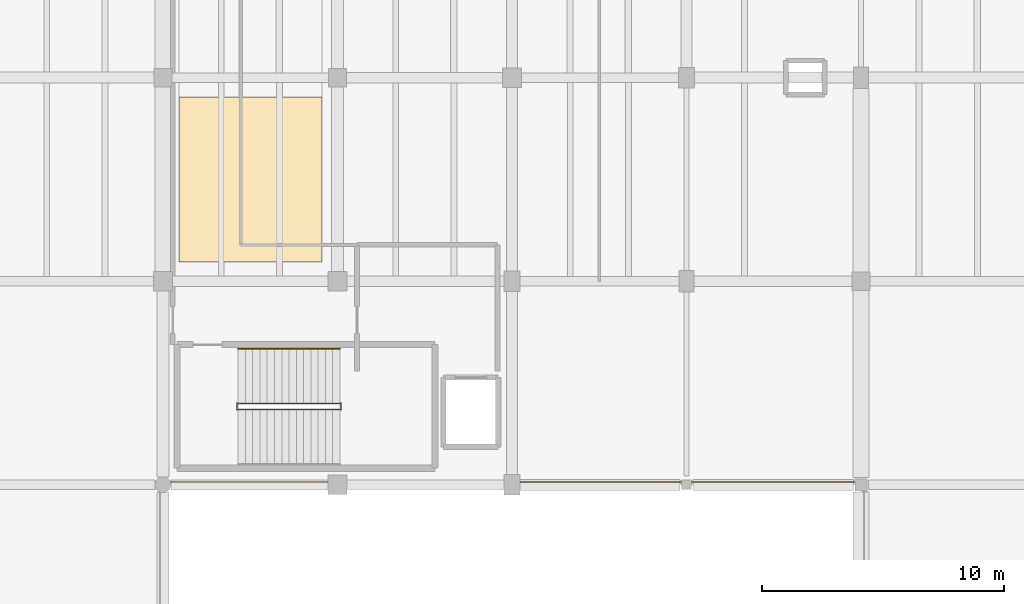
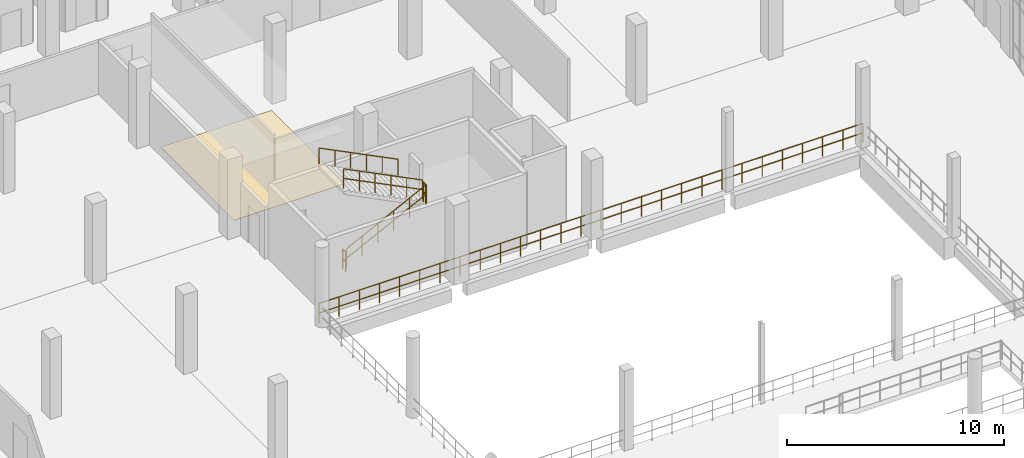
# One storey, part 113 of 116: 6 railings, 1 covering.
"""IFC4 building model written with IfcOpenShell, lengths in metres."""

from ifc_helpers import new_model, si_unit, direction, frame, origin, origin_2d, place, context, subcontext, project, spatial, polyline, circle, outline, extrude, material, layer, layer_set, type_object, element, save


model = new_model("IFC4")

# Units and contexts
model_context = context("Model", 3, precision=1e-05, world=origin(), true_north=direction((0.0, 1.0)))
body_context = subcontext(model_context, "Body", "Model", "MODEL_VIEW")
ifc_project = project(units=[si_unit("LENGTHUNIT", "METRE"), si_unit("AREAUNIT", "SQUARE_METRE"), si_unit("VOLUMEUNIT", "CUBIC_METRE"), si_unit("PLANEANGLEUNIT", "RADIAN"), si_unit("MASSUNIT", "GRAM", prefix="KILO")], contexts=[model_context])

# Site, building, storey
site_placement = place(None, origin())
site = spatial("IfcSite", under=ifc_project, at=site_placement, CompositionType="ELEMENT")
building_placement = place(site_placement, origin())
building = spatial("IfcBuilding", under=site, at=building_placement, Name="Kalluvel Institute of Natural Sciences", CompositionType="ELEMENT")
storey_placement = place(building_placement, frame((0.0, 0.0, 14.39990234375)))
storey = spatial("IfcBuildingStorey", under=building, at=storey_placement, Name="L03", CompositionType="ELEMENT", Elevation=14.39990234375)

# Covering
ifc_material_1 = material(Name="Seamless Chemical-Resistant Epoxy Flooring", Category="resin")
ifc_layer = layer(ifc_material_1, 0.014892578125)
ifc_layer_set = layer_set([ifc_layer], Name="Seamless Chemical-Resistant Epoxy Flooring")
covering_type = type_object("IfcCoveringType", Name="COV-FLR-EPOXY", PredefinedType="FLOORING", material=ifc_layer_set)
covering_placement = place(storey_placement, origin())
element("IfcCovering", 1, at=covering_placement, inside=storey, type_object=covering_type, Name="L03 seamless epoxy laboratory floor finish 8", PredefinedType="FLOORING", context=body_context, shape_type="SweptSolid", body=[
    extrude(outline(polyline([(43.449951171875, 103.60009765625), (49.35009765625, 103.60009765625), (49.35009765625, 110.39990234375), (43.449951171875, 110.39990234375), (43.449951171875, 103.60009765625)])), origin(), (0.0, 0.0, 1.0), 0.01513671875),
])

# Railings
ifc_material_2 = material(Name="Galvanized Fire-Rated Steel", Category="steel")
railing_type_1 = type_object("IfcRailingType", Name="RL-GD-ATRIUM", PredefinedType="BALUSTRADE", material=ifc_material_2)
railing_1_placement = place(storey_placement, frame((71.679931640625, 94.52001953125, 0.0)))
element("IfcRailing", 2, at=railing_1_placement, inside=storey, type_object=railing_type_1, Name="L03 Interaction Atrium void safety balustrade N", PredefinedType="BALUSTRADE", context=body_context, shape_type="SweptSolid", body=[
    extrude(circle(Radius=0.02392578125, at=origin_2d()), frame((0.0, 0.0, 1.09619140625), z_axis=(-1.0, 0.0, 0.0), x_axis=(0.0, -1.0, 0.0)), (0.0, 0.0, 1.0), 28.9599609375),
    extrude(circle(Radius=0.02392578125, at=origin_2d()), frame((0.0, 0.0, 0.56005859375), z_axis=(-1.0, 0.0, 0.0), x_axis=(0.0, -1.0, 0.0)), (0.0, 0.0, 1.0), 28.9599609375),
    extrude(circle(Radius=0.02099609375, at=origin_2d()), origin(), (0.0, 0.0, 1.0), 1.072021484375),
    extrude(circle(Radius=0.02099609375, at=origin_2d()), frame((-1.072509765625, 0.0, 0.0)), (0.0, 0.0, 1.0), 1.072021484375),
    extrude(circle(Radius=0.02099609375, at=origin_2d()), frame((-2.145263671875, 0.0, 0.0)), (0.0, 0.0, 1.0), 1.072021484375),
    extrude(circle(Radius=0.02099609375, at=origin_2d()), frame((-3.2177734375, 0.0, 0.0)), (0.0, 0.0, 1.0), 1.072021484375),
    extrude(circle(Radius=0.02099609375, at=origin_2d()), frame((-4.290283203125, 0.0, 0.0)), (0.0, 0.0, 1.0), 1.072021484375),
    extrude(circle(Radius=0.02099609375, at=origin_2d()), frame((-5.363037109375, 0.0, 0.0)), (0.0, 0.0, 1.0), 1.072021484375),
    extrude(circle(Radius=0.02099609375, at=origin_2d()), frame((-6.435546875, 0.0, 0.0)), (0.0, 0.0, 1.0), 1.072021484375),
    extrude(circle(Radius=0.02099609375, at=origin_2d()), frame((-7.508056640625, 0.0, 0.0)), (0.0, 0.0, 1.0), 1.072021484375),
    extrude(circle(Radius=0.02099609375, at=origin_2d()), frame((-8.580810546875, 0.0, 0.0)), (0.0, 0.0, 1.0), 1.072021484375),
    extrude(circle(Radius=0.02099609375, at=origin_2d()), frame((-9.6533203125, 0.0, 0.0)), (0.0, 0.0, 1.0), 1.072021484375),
    extrude(circle(Radius=0.02099609375, at=origin_2d()), frame((-10.725830078125, 0.0, 0.0)), (0.0, 0.0, 1.0), 1.072021484375),
    extrude(circle(Radius=0.02099609375, at=origin_2d()), frame((-11.798583984375, 0.0, 0.0)), (0.0, 0.0, 1.0), 1.072021484375),
    extrude(circle(Radius=0.02099609375, at=origin_2d()), frame((-12.87109375, 0.0, 0.0)), (0.0, 0.0, 1.0), 1.072021484375),
    extrude(circle(Radius=0.02099609375, at=origin_2d()), frame((-13.943603515625, 0.0, 0.0)), (0.0, 0.0, 1.0), 1.072021484375),
    extrude(circle(Radius=0.02099609375, at=origin_2d()), frame((-15.016357421875, 0.0, 0.0)), (0.0, 0.0, 1.0), 1.072021484375),
    extrude(circle(Radius=0.02099609375, at=origin_2d()), frame((-16.0888671875, 0.0, 0.0)), (0.0, 0.0, 1.0), 1.072021484375),
    extrude(circle(Radius=0.02099609375, at=origin_2d()), frame((-17.161376953125, 0.0, 0.0)), (0.0, 0.0, 1.0), 1.072021484375),
    extrude(circle(Radius=0.02099609375, at=origin_2d()), frame((-18.234130859375, 0.0, 0.0)), (0.0, 0.0, 1.0), 1.072021484375),
    extrude(circle(Radius=0.02099609375, at=origin_2d()), frame((-19.306640625, 0.0, 0.0)), (0.0, 0.0, 1.0), 1.072021484375),
    extrude(circle(Radius=0.02099609375, at=origin_2d()), frame((-20.379150390625, 0.0, 0.0)), (0.0, 0.0, 1.0), 1.072021484375),
    extrude(circle(Radius=0.02099609375, at=origin_2d()), frame((-21.451904296875, 0.0, 0.0)), (0.0, 0.0, 1.0), 1.072021484375),
    extrude(circle(Radius=0.02099609375, at=origin_2d()), frame((-22.5244140625, 0.0, 0.0)), (0.0, 0.0, 1.0), 1.072021484375),
    extrude(circle(Radius=0.02099609375, at=origin_2d()), frame((-23.596923828125, 0.0, 0.0)), (0.0, 0.0, 1.0), 1.072021484375),
    extrude(circle(Radius=0.02099609375, at=origin_2d()), frame((-24.669677734375, 0.0, 0.0)), (0.0, 0.0, 1.0), 1.072021484375),
    extrude(circle(Radius=0.02099609375, at=origin_2d()), frame((-25.7421875, 0.0, 0.0)), (0.0, 0.0, 1.0), 1.072021484375),
    extrude(circle(Radius=0.02099609375, at=origin_2d()), frame((-26.814697265625, 0.0, 0.0)), (0.0, 0.0, 1.0), 1.072021484375),
    extrude(circle(Radius=0.02099609375, at=origin_2d()), frame((-27.887451171875, 0.0, 0.0)), (0.0, 0.0, 1.0), 1.072021484375),
    extrude(circle(Radius=0.02099609375, at=origin_2d()), frame((-28.9599609375, 0.0, 0.0)), (0.0, 0.0, 1.0), 1.072021484375),
])
railing_type_2 = type_object("IfcRailingType", Name="RL-GD-STAIR", PredefinedType="BALUSTRADE", material=ifc_material_2)
railing_2_placement = place(storey_placement, frame((45.89990234375, 97.510009765625, 0.150146484375)))
element("IfcRailing", 3, at=railing_2_placement, inside=storey, type_object=railing_type_2, Name="L03 ST3 stair guard 1", PredefinedType="BALUSTRADE", context=body_context, shape_type="SweptSolid", body=[
    extrude(circle(Radius=0.02392578125, at=origin_2d()), frame((0.0, 0.0, 1.09619140625), z_axis=(0.894447986312, 0.0, 0.447172002457), x_axis=(0.0, 1.0, 0.0)), (0.0, 0.0, 1.0), 4.69580078125),
    extrude(circle(Radius=0.02392578125, at=origin_2d()), frame((0.0, 0.0, 0.56005859375), z_axis=(0.894447986312, 0.0, 0.447172002457), x_axis=(0.0, 1.0, 0.0)), (0.0, 0.0, 1.0), 4.69580078125),
    extrude(circle(Radius=0.02099609375, at=origin_2d()), origin(), (0.0, 0.0, 1.0), 1.072021484375),
    extrude(circle(Radius=0.02099609375, at=origin_2d()), frame((0.840087890625, 0.0, 0.419921875)), (0.0, 0.0, 1.0), 1.072021484375),
    extrude(circle(Radius=0.02099609375, at=origin_2d()), frame((1.68017578125, 0.0, 0.83984375)), (0.0, 0.0, 1.0), 1.072021484375),
    extrude(circle(Radius=0.02099609375, at=origin_2d()), frame((2.52001953125, 0.0, 1.260009765625)), (0.0, 0.0, 1.0), 1.072021484375),
    extrude(circle(Radius=0.02099609375, at=origin_2d()), frame((3.360107421875, 0.0, 1.679931640625)), (0.0, 0.0, 1.0), 1.072021484375),
    extrude(circle(Radius=0.02099609375, at=origin_2d()), frame((4.2001953125, 0.0, 2.099853515625)), (0.0, 0.0, 1.0), 1.072021484375),
])
railing_3_placement = place(storey_placement, frame((50.14990234375, 97.4951171875, 2.25)))
element("IfcRailing", 4, at=railing_3_placement, inside=storey, type_object=railing_type_2, Name="L03 ST3 stair guard 2", PredefinedType="BALUSTRADE", context=body_context, shape_type="SweptSolid", body=[
    extrude(circle(Radius=0.02392578125, at=origin_2d()), frame((0.0, 0.0, 1.09619140625), z_axis=(0.0, 1.0, 0.0), x_axis=(-1.0, 0.0, 0.0)), (0.0, 0.0, 1.0), 0.27978515625),
    extrude(circle(Radius=0.02392578125, at=origin_2d()), frame((0.0, 0.0, 0.56005859375), z_axis=(0.0, 1.0, 0.0), x_axis=(-1.0, 0.0, 0.0)), (0.0, 0.0, 1.0), 0.27978515625),
    extrude(circle(Radius=0.02099609375, at=origin_2d()), origin(), (0.0, 0.0, 1.0), 1.072021484375),
    extrude(circle(Radius=0.02099609375, at=origin_2d()), frame((0.0, 0.27978515625, 0.0)), (0.0, 0.0, 1.0), 1.072021484375),
])
railing_4_placement = place(storey_placement, frame((50.10009765625, 97.760009765625, 2.400146484375)))
element("IfcRailing", 5, at=railing_4_placement, inside=storey, type_object=railing_type_2, Name="L03 ST3 stair guard 3", PredefinedType="BALUSTRADE", context=body_context, shape_type="SweptSolid", body=[
    extrude(circle(Radius=0.02392578125, at=origin_2d()), frame((0.0, 0.0, 1.09619140625), z_axis=(-0.894447986312, 0.0, 0.447172002457), x_axis=(0.0, -1.0, 0.0)), (0.0, 0.0, 1.0), 4.69580078125),
    extrude(circle(Radius=0.02392578125, at=origin_2d()), frame((0.0, 0.0, 0.56005859375), z_axis=(-0.894447986312, 0.0, 0.447172002457), x_axis=(0.0, -1.0, 0.0)), (0.0, 0.0, 1.0), 4.69580078125),
    extrude(circle(Radius=0.02099609375, at=origin_2d()), origin(), (0.0, 0.0, 1.0), 1.072021484375),
    extrude(circle(Radius=0.02099609375, at=origin_2d()), frame((-0.840087890625, 0.0, 0.419921875)), (0.0, 0.0, 1.0), 1.072021484375),
    extrude(circle(Radius=0.02099609375, at=origin_2d()), frame((-1.68017578125, 0.0, 0.83984375)), (0.0, 0.0, 1.0), 1.072021484375),
    extrude(circle(Radius=0.02099609375, at=origin_2d()), frame((-2.52001953125, 0.0, 1.260009765625)), (0.0, 0.0, 1.0), 1.072021484375),
    extrude(circle(Radius=0.02099609375, at=origin_2d()), frame((-3.360107421875, 0.0, 1.679931640625)), (0.0, 0.0, 1.0), 1.072021484375),
    extrude(circle(Radius=0.02099609375, at=origin_2d()), frame((-4.2001953125, 0.0, 2.099853515625)), (0.0, 0.0, 1.0), 1.072021484375),
])
railing_5_placement = place(storey_placement, frame((45.85009765625, 97.4951171875, 0.0)))
element("IfcRailing", 6, at=railing_5_placement, inside=storey, type_object=railing_type_2, Name="L03 ST3 stair guard 4", PredefinedType="BALUSTRADE", context=body_context, shape_type="SweptSolid", body=[
    extrude(circle(Radius=0.02392578125, at=origin_2d()), frame((0.0, 0.0, 1.09619140625), z_axis=(0.0, 1.0, 0.0), x_axis=(-1.0, 0.0, 0.0)), (0.0, 0.0, 1.0), 0.27978515625),
    extrude(circle(Radius=0.02392578125, at=origin_2d()), frame((0.0, 0.0, 0.56005859375), z_axis=(0.0, 1.0, 0.0), x_axis=(-1.0, 0.0, 0.0)), (0.0, 0.0, 1.0), 0.27978515625),
    extrude(circle(Radius=0.02099609375, at=origin_2d()), origin(), (0.0, 0.0, 1.0), 1.072021484375),
    extrude(circle(Radius=0.02099609375, at=origin_2d()), frame((0.0, 0.27978515625, 0.0)), (0.0, 0.0, 1.0), 1.072021484375),
])
railing_type_3 = type_object("IfcRailingType", Name="RL-HR-STAIR", PredefinedType="HANDRAIL", material=ifc_material_2)
railing_6_placement = place(storey_placement, frame((50.10009765625, 100.02001953125, 2.400146484375)))
element("IfcRailing", 7, at=railing_6_placement, inside=storey, type_object=railing_type_3, Name="L03 ST3 stair handrail 2", PredefinedType="HANDRAIL", context=body_context, shape_type="SweptSolid", body=[
    extrude(circle(Radius=0.02392578125, at=origin_2d()), frame((0.0, 0.0, 0.89599609375), z_axis=(-0.894447986312, 0.0, 0.447172002457), x_axis=(0.0, -1.0, 0.0)), (0.0, 0.0, 1.0), 4.69580078125),
    extrude(circle(Radius=0.02099609375, at=origin_2d()), origin(), (0.0, 0.0, 1.0), 0.871826171875),
    extrude(circle(Radius=0.02099609375, at=origin_2d()), frame((-0.840087890625, 0.0, 0.419921875)), (0.0, 0.0, 1.0), 0.871826171875),
    extrude(circle(Radius=0.02099609375, at=origin_2d()), frame((-1.68017578125, 0.0, 0.83984375)), (0.0, 0.0, 1.0), 0.871826171875),
    extrude(circle(Radius=0.02099609375, at=origin_2d()), frame((-2.52001953125, 0.0, 1.260009765625)), (0.0, 0.0, 1.0), 0.871826171875),
    extrude(circle(Radius=0.02099609375, at=origin_2d()), frame((-3.360107421875, 0.0, 1.679931640625)), (0.0, 0.0, 1.0), 0.871826171875),
    extrude(circle(Radius=0.02099609375, at=origin_2d()), frame((-4.2001953125, 0.0, 2.099853515625)), (0.0, 0.0, 1.0), 0.871826171875),
])

save(model, "model.ifc")
